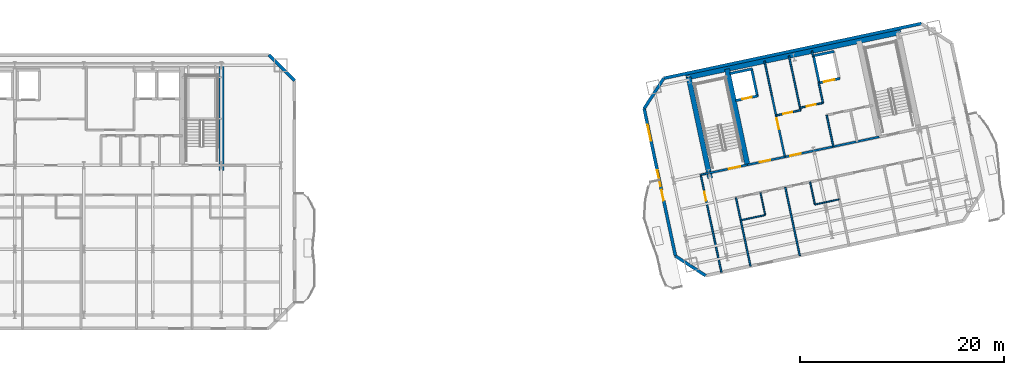
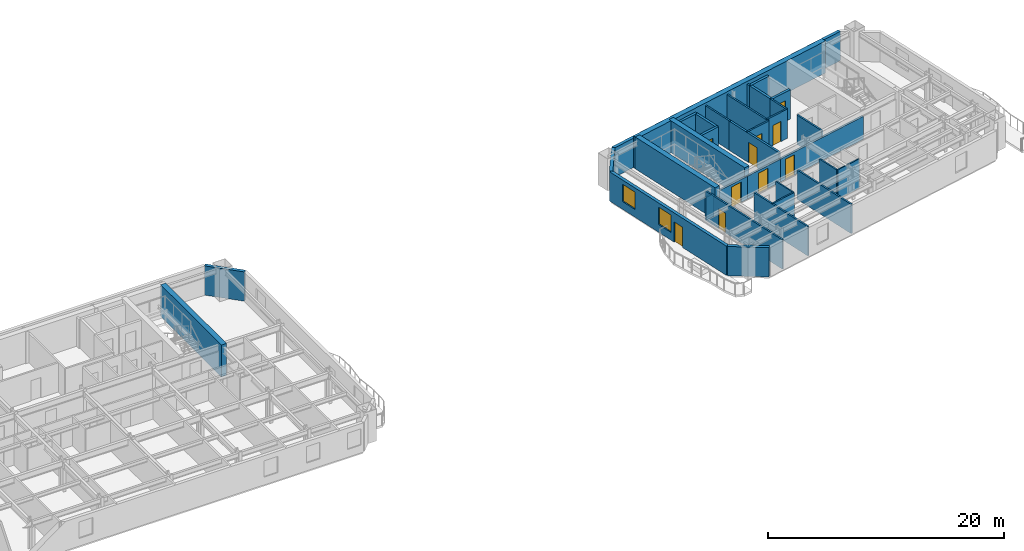
# One storey, part 7 of 13: 34 walls, 10 doors, 2 windows, 12 openings.
"""IFC4 building model written with IfcOpenShell, lengths in metres."""

from ifc_helpers import new_model, si_unit, direction, frame, frame_2d, origin, place, context, subcontext, project, spatial, rectangle, extrude, material, layer, layer_set, type_object, element, fill, save


model = new_model("IFC4")

# Units and contexts
model_context = context("Model", 3, precision=1e-05, world=origin(), true_north=direction((0.0, 1.0)))
body_context = subcontext(model_context, "Body", "Model", "MODEL_VIEW")
ifc_project = project(units=[si_unit("LENGTHUNIT", "METRE"), si_unit("AREAUNIT", "SQUARE_METRE"), si_unit("VOLUMEUNIT", "CUBIC_METRE"), si_unit("PLANEANGLEUNIT", "RADIAN"), si_unit("MASSUNIT", "GRAM", prefix="KILO")], contexts=[model_context])

# Site, building, storey
site_placement = place(None, origin())
site = spatial("IfcSite", under=ifc_project, at=site_placement, CompositionType="ELEMENT")
building_placement = place(site_placement, origin())
building = spatial("IfcBuilding", under=site, at=building_placement, Name="Haevon Station Towers", CompositionType="ELEMENT")
storey_placement = place(building_placement, frame((0.0, 0.0, 182.39990234375)))
storey = spatial("IfcBuildingStorey", under=building, at=storey_placement, Name="L50", CompositionType="ELEMENT", Elevation=182.39990234375)

# Wall, opening, door
ifc_material_1 = material(Name="Gypsum board on steel stud", Category="steel")
ifc_layer_1 = layer(ifc_material_1, 0.199951171875)
ifc_layer_set_1 = layer_set([ifc_layer_1], Name="Gypsum board on steel stud")
wall_type_1 = type_object("IfcWallType", Name="WL-COR200", PredefinedType="PARTITIONING", material=ifc_layer_set_1)
wall_1_placement = place(storey_placement, frame((98.75244140625, 37.4423828125, 0.0), z_axis=(0.0, 0.0, 1.0), x_axis=(0.978143537786, 0.207930804564, 0.0)))
wall_1 = element("IfcWall", 1, at=wall_1_placement, inside=storey, type_object=wall_type_1, Name="WL-ST-ST3-L50", PredefinedType="PARTITIONING", context=body_context, shape_type="SweptSolid", body=[
    extrude(rectangle(XDim=3.85009765625, YDim=0.199951171875, at=frame_2d((1.925048828125, 0.0))), origin(), (0.0, 0.0, 1.0), 2.380126953125),
])
opening_1_placement = place(wall_1_placement, frame((2.0, 0.0, 0.0)))
opening_1 = element("IfcOpeningElement", 2, at=opening_1_placement, cuts=wall_1, Name="Opening DR-ST-ST3-L50", PredefinedType="OPENING", context=body_context, shape_type="SweptSolid", body=[
    extrude(rectangle(XDim=1.1201171875, YDim=2.10009765625, at=frame_2d((0.56005859375, 1.050048828125))), frame((0.0, 0.10986328125, 0.0), z_axis=(0.0, -1.0, 0.0), x_axis=(1.0, 0.0, 0.0)), (0.0, 0.0, 1.0), 0.219970703125),
])
ifc_material_2 = material(Name="Engineered oak timber", Category="wood")
door_type_1 = type_object("IfcDoorType", Name="DR-ST-1120", OperationType="NOTDEFINED", PredefinedType="DOOR", material=ifc_material_2)
door_1_placement = place(opening_1_placement, origin())
door_1 = element("IfcDoor", 3, at=door_1_placement, inside=storey, type_object=door_type_1, Name="L50 Escape Stair ST3 Fire Door", OperationType="SINGLE_SWING_RIGHT", OverallHeight=2.10009765625, OverallWidth=1.1201171875, PredefinedType="DOOR", context=body_context, shape_type="SweptSolid", body=[
    extrude(rectangle(XDim=1.1201171875, YDim=2.10009765625, at=frame_2d((0.56005859375, 1.050048828125))), frame((0.0, 0.02490234375, 0.0), z_axis=(0.0, -1.0, 0.0), x_axis=(1.0, 0.0, 0.0)), (0.0, 0.0, 1.0), 0.050048828125),
])
fill(opening_1, door_1)

wall_2_placement = place(storey_placement, frame((106.186279296875, 39.0224609375, 0.0), z_axis=(0.0, 0.0, 1.0), x_axis=(-0.207916691923, 0.978146537703, 0.0)))
wall_2 = element("IfcWall", 4, at=wall_2_placement, inside=storey, type_object=wall_type_1, Name="WL-T2FFL-L50-E", PredefinedType="PARTITIONING", context=body_context, shape_type="SweptSolid", body=[
    extrude(rectangle(XDim=6.35009765625, YDim=0.199951171875, at=frame_2d((3.175048828125, 0.0))), origin(), (0.0, 0.0, 1.0), 3.030029296875),
])
opening_2_placement = place(wall_2_placement, frame((2.800048828125, 0.0, 0.0)))
opening_2 = element("IfcOpeningElement", 5, at=opening_2_placement, cuts=wall_2, Name="Opening DR-T2FFL-L50-E", PredefinedType="OPENING", context=body_context, shape_type="SweptSolid", body=[
    extrude(rectangle(XDim=1.050048828125, YDim=2.10009765625, at=frame_2d((0.52490234375, 1.050048828125))), frame((0.0, 0.10986328125, 0.0), z_axis=(0.0, -1.0, 0.0), x_axis=(1.0, 0.0, 0.0)), (0.0, 0.0, 1.0), 0.219970703125),
])
door_type_2 = type_object("IfcDoorType", Name="DR-FD60-1050", OperationType="NOTDEFINED", PredefinedType="DOOR", material=ifc_material_2)
door_2_placement = place(opening_2_placement, origin())
door_2 = element("IfcDoor", 6, at=door_2_placement, inside=storey, type_object=door_type_2, Name="L50 Tower 2 Firefighting Lift Lobby Door E", OperationType="SINGLE_SWING_RIGHT", OverallHeight=2.10009765625, OverallWidth=1.050048828125, PredefinedType="DOOR", context=body_context, shape_type="SweptSolid", body=[
    extrude(rectangle(XDim=1.050048828125, YDim=2.10009765625, at=frame_2d((0.52490234375, 1.050048828125))), frame((0.0, 0.02490234375, 0.0), z_axis=(0.0, -1.0, 0.0), x_axis=(1.0, 0.0, 0.0)), (0.0, 0.0, 1.0), 0.050048828125),
])
fill(opening_2, door_2)

wall_3_placement = place(storey_placement, frame((102.518310546875, 38.242919921875, 0.0), z_axis=(0.0, 0.0, 1.0), x_axis=(0.978153555683, 0.20788367301, 0.0)))
wall_3 = element("IfcWall", 7, at=wall_3_placement, inside=storey, type_object=wall_type_1, Name="WL-T2FFL-L50-S", PredefinedType="PARTITIONING", context=body_context, shape_type="SweptSolid", body=[
    extrude(rectangle(XDim=3.75, YDim=0.199951171875, at=frame_2d((1.875, 0.0))), origin(), (0.0, 0.0, 1.0), 2.380126953125),
])
opening_3_placement = place(wall_3_placement, frame((1.25, 0.0, 0.0)))
opening_3 = element("IfcOpeningElement", 8, at=opening_3_placement, cuts=wall_3, Name="Opening DR-T2FFL-L50-S", PredefinedType="OPENING", context=body_context, shape_type="SweptSolid", body=[
    extrude(rectangle(XDim=1.050048828125, YDim=2.10009765625, at=frame_2d((0.52490234375, 1.050048828125))), frame((0.0, 0.10986328125, 0.0), z_axis=(0.0, -1.0, 0.0), x_axis=(1.0, 0.0, 0.0)), (0.0, 0.0, 1.0), 0.219970703125),
])
door_3_placement = place(opening_3_placement, origin())
door_3 = element("IfcDoor", 9, at=door_3_placement, inside=storey, type_object=door_type_2, Name="L50 Tower 2 Firefighting Lift Lobby Door S", OperationType="SINGLE_SWING_LEFT", OverallHeight=2.10009765625, OverallWidth=1.050048828125, PredefinedType="DOOR", context=body_context, shape_type="SweptSolid", body=[
    extrude(rectangle(XDim=1.050048828125, YDim=2.10009765625, at=frame_2d((0.52490234375, 1.050048828125))), frame((0.0, 0.02490234375, 0.0), z_axis=(0.0, -1.0, 0.0), x_axis=(1.0, 0.0, 0.0)), (0.0, 0.0, 1.0), 0.050048828125),
])
fill(opening_3, door_3)

wall_4_placement = place(storey_placement, frame((106.186279296875, 39.0224609375, 0.0), z_axis=(0.0, 0.0, 1.0), x_axis=(0.978145519981, 0.20792147975, 0.0)))
wall_4 = element("IfcWall", 10, at=wall_4_placement, inside=storey, type_object=wall_type_1, Name="WL-T2CLB-L50", PredefinedType="PARTITIONING", context=body_context, shape_type="SweptSolid", body=[
    extrude(rectangle(XDim=9.449951171875, YDim=0.199951171875, at=frame_2d((4.72509765625, 0.0))), origin(), (0.0, 0.0, 1.0), 2.380126953125),
])
opening_4_placement = place(wall_4_placement, frame((0.550048828125, 0.0, 0.0)))
opening_4 = element("IfcOpeningElement", 11, at=opening_4_placement, cuts=wall_4, Name="Opening DR-T2CLB-L50-1", PredefinedType="OPENING", context=body_context, shape_type="SweptSolid", body=[
    extrude(rectangle(XDim=1.050048828125, YDim=2.10009765625, at=frame_2d((0.52490234375, 1.050048828125))), frame((0.0, 0.10986328125, 0.0), z_axis=(0.0, -1.0, 0.0), x_axis=(1.0, 0.0, 0.0)), (0.0, 0.0, 1.0), 0.219970703125),
])
door_4_placement = place(opening_4_placement, origin())
door_4 = element("IfcDoor", 12, at=door_4_placement, inside=storey, type_object=door_type_2, Name="L50 Tower 2 Core Lift Lobby Door 1", OperationType="SINGLE_SWING_RIGHT", OverallHeight=2.10009765625, OverallWidth=1.050048828125, PredefinedType="DOOR", context=body_context, shape_type="SweptSolid", body=[
    extrude(rectangle(XDim=1.050048828125, YDim=2.10009765625, at=frame_2d((0.52490234375, 1.050048828125))), frame((0.0, 0.02490234375, 0.0), z_axis=(0.0, -1.0, 0.0), x_axis=(1.0, 0.0, 0.0)), (0.0, 0.0, 1.0), 0.050048828125),
])
fill(opening_4, door_4)

# Walls
ifc_material_3 = material(Name="Concrete C60/75", Category="concrete")
ifc_layer_2 = layer(ifc_material_3, 0.5)
ifc_layer_set_2 = layer_set([ifc_layer_2], Name="Concrete C60/75")
wall_type_2 = type_object("IfcWallType", Name="WL-CR500", PredefinedType="SHEAR", material=ifc_layer_set_2)
wall_5_placement = place(storey_placement, frame((51.0, 37.679931640625, 0.0), z_axis=(0.0, 0.0, 1.0), x_axis=(0.0, 1.0, 0.0)))
element("IfcWall", 13, at=wall_5_placement, inside=storey, type_object=wall_type_2, Name="WL-T1CR-L50-E", PredefinedType="SHEAR", context=body_context, shape_type="SweptSolid", body=[
    extrude(rectangle(XDim=10.320068359375, YDim=0.5, at=frame_2d((5.16015625, 0.0))), origin(), (0.0, 0.0, 1.0), 3.300048828125),
])
wall_6_placement = place(storey_placement, frame((96.511962890625, 46.78076171875, 0.0), z_axis=(0.0, 0.0, 1.0), x_axis=(0.978148546782, 0.207907239961, 0.0)))
element("IfcWall", 14, at=wall_6_placement, inside=storey, type_object=wall_type_2, Name="WL-T2CR-L50-N", PredefinedType="SHEAR", context=body_context, shape_type="SweptSolid", body=[
    extrude(rectangle(XDim=21.499755859375, YDim=0.5, at=frame_2d((10.75, 0.0))), origin(), (0.0, 0.0, 1.0), 3.300048828125),
])
wall_7_placement = place(storey_placement, frame((98.8603515625, 36.933837890625, 0.0), z_axis=(0.0, 0.0, 1.0), x_axis=(-0.20790924889, 0.978148119778, 0.0)))
element("IfcWall", 15, at=wall_7_placement, inside=storey, type_object=wall_type_2, Name="WL-T2CR-L50-W", PredefinedType="SHEAR", context=body_context, shape_type="SweptSolid", body=[
    extrude(rectangle(XDim=10.119873046875, YDim=0.5, at=frame_2d((5.06005859375, 0.0))), origin(), (0.0, 0.0, 1.0), 3.300048828125),
])
wall_8_placement = place(storey_placement, frame((102.518310546875, 38.242919921875, 0.0), z_axis=(0.0, 0.0, 1.0), x_axis=(-0.207927495108, 0.978144241295, 0.0)))
element("IfcWall", 16, at=wall_8_placement, inside=storey, type_object=wall_type_2, Name="WL-T2CR-L50-M1", PredefinedType="SHEAR", context=body_context, shape_type="SweptSolid", body=[
    extrude(rectangle(XDim=9.599853515625, YDim=0.5, at=frame_2d((4.7998046875, 0.0))), origin(), (0.0, 0.0, 1.0), 3.300048828125),
])
ifc_material_4 = material(Name="Precast concrete C45/55", Category="concrete")
ifc_layer_3 = layer(ifc_material_4, 0.300048828125)
ifc_layer_set_3 = layer_set([ifc_layer_3], Name="Precast concrete C45/55")
wall_type_3 = type_object("IfcWallType", Name="WL-EXT-PIER300", PredefinedType="SOLIDWALL", material=ifc_layer_set_3)
wall_9_placement = place(storey_placement, frame((55.64990234375, 49.0, 0.0), z_axis=(0.0, 0.0, 1.0), x_axis=(0.707106781187, -0.707106781187, 0.0)))
element("IfcWall", 17, at=wall_9_placement, inside=storey, type_object=wall_type_3, Name="WL-T1-L50-NEC", PredefinedType="SOLIDWALL", context=body_context, shape_type="SweptSolid", body=[
    extrude(rectangle(XDim=3.53564453125, YDim=0.300048828125, at=frame_2d((1.767822265625, 0.0))), origin(), (0.0, 0.0, 1.0), 3.030029296875),
])
wall_10_placement = place(storey_placement, frame((98.43603515625, 27.386962890625, 0.0), z_axis=(0.0, 0.0, 1.0), x_axis=(-0.838672309694, 0.544636352948, 0.0)))
element("IfcWall", 18, at=wall_10_placement, inside=storey, type_object=wall_type_3, Name="WL-T2-L50-SWC", PredefinedType="SOLIDWALL", context=body_context, shape_type="SweptSolid", body=[
    extrude(rectangle(XDim=3.535400390625, YDim=0.300048828125, at=frame_2d((1.767578125, 0.0))), origin(), (0.0, 0.0, 1.0), 3.030029296875),
])

# Wall, openings, door, windows
wall_11_placement = place(storey_placement, frame((95.470947265625, 29.3125, 0.0), z_axis=(0.0, 0.0, 1.0), x_axis=(-0.207907783045, 0.978148431348, 0.0)))
wall_11 = element("IfcWall", 19, at=wall_11_placement, inside=storey, type_object=wall_type_3, Name="WL-T2-L50-W", PredefinedType="SOLIDWALL", context=body_context, shape_type="SweptSolid", body=[
    extrude(rectangle(XDim=14.77001953125, YDim=0.300048828125, at=frame_2d((7.385009765625, 0.0))), origin(), (0.0, 0.0, 1.0), 3.030029296875),
])
opening_5_placement = place(wall_11_placement, frame((5.56005859375, 0.0, 0.0)))
opening_5 = element("IfcOpeningElement", 20, at=opening_5_placement, cuts=wall_11, Name="Opening DR-T2-SCAL-L50-W", PredefinedType="OPENING", context=body_context, shape_type="SweptSolid", body=[
    extrude(rectangle(XDim=1.050048828125, YDim=2.10009765625, at=frame_2d((0.52490234375, 1.050048828125))), frame((0.0, 0.159912109375, 0.0), z_axis=(0.0, -1.0, 0.0), x_axis=(1.0, 0.0, 0.0)), (0.0, 0.0, 1.0), 0.320068359375),
])
opening_6_placement = place(wall_11_placement, frame((6.998291015625, 0.0, 0.800048828125)))
opening_6 = element("IfcOpeningElement", 21, at=opening_6_placement, cuts=wall_11, Name="Opening WN-END160", PredefinedType="OPENING", context=body_context, shape_type="SweptSolid", body=[
    extrude(rectangle(XDim=1.60009765625, YDim=1.800048828125, at=frame_2d((0.800048828125, 0.89990234375))), frame((0.0, 0.159912109375, 0.0), z_axis=(0.0, -1.0, 0.0), x_axis=(1.0, 0.0, 0.0)), (0.0, 0.0, 1.0), 0.320068359375),
])
opening_7_placement = place(wall_11_placement, frame((11.543701171875, 0.0, 0.800048828125)))
opening_7 = element("IfcOpeningElement", 22, at=opening_7_placement, cuts=wall_11, Name="Opening WN-END160", PredefinedType="OPENING", context=body_context, shape_type="SweptSolid", body=[
    extrude(rectangle(XDim=1.60009765625, YDim=1.800048828125, at=frame_2d((0.800048828125, 0.89990234375))), frame((0.0, 0.159912109375, 0.0), z_axis=(0.0, -1.0, 0.0), x_axis=(1.0, 0.0, 0.0)), (0.0, 0.0, 1.0), 0.320068359375),
])
ifc_material_5 = material(Name="Thermally broken anodised aluminium and laminated safety glass", Category="aluminium")
door_type_3 = type_object("IfcDoorType", Name="DR-BALC-1050", OperationType="NOTDEFINED", PredefinedType="DOOR", material=ifc_material_5)
door_5_placement = place(opening_5_placement, origin())
door_5 = element("IfcDoor", 23, at=door_5_placement, inside=storey, type_object=door_type_3, Name="Tower 2 L50 West Scalloped Balcony Door", OperationType="SINGLE_SWING_LEFT", OverallHeight=2.10009765625, OverallWidth=1.050048828125, PredefinedType="DOOR", context=body_context, shape_type="SweptSolid", body=[
    extrude(rectangle(XDim=1.050048828125, YDim=2.10009765625, at=frame_2d((0.52490234375, 1.050048828125))), frame((0.0, 0.02490234375, 0.0), z_axis=(0.0, -1.0, 0.0), x_axis=(1.0, 0.0, 0.0)), (0.0, 0.0, 1.0), 0.050048828125),
])
fill(opening_5, door_5)
ifc_material_6 = material(Name="Low-E triple glazing in thermally broken aluminium", Category="aluminium")
window_type = type_object("IfcWindowType", Name="WN-END160", PartitioningType="SINGLE_PANEL", PredefinedType="WINDOW", material=ifc_material_6)
window_1_placement = place(opening_6_placement, origin())
window_1 = element("IfcWindow", 24, at=window_1_placement, inside=storey, type_object=window_type, Name="WN-T2-L50-W01", OverallHeight=1.800048828125, OverallWidth=1.60009765625, PartitioningType="SINGLE_PANEL", PredefinedType="WINDOW", context=body_context, shape_type="SweptSolid", body=[
    extrude(rectangle(XDim=1.60009765625, YDim=1.800048828125, at=frame_2d((0.800048828125, 0.89990234375))), frame((0.0, 0.030029296875, 0.0), z_axis=(0.0, -1.0, 0.0), x_axis=(1.0, 0.0, 0.0)), (0.0, 0.0, 1.0), 0.06005859375),
])
fill(opening_6, window_1)
window_2_placement = place(opening_7_placement, origin())
window_2 = element("IfcWindow", 25, at=window_2_placement, inside=storey, type_object=window_type, Name="WN-T2-L50-W02", OverallHeight=1.800048828125, OverallWidth=1.60009765625, PartitioningType="SINGLE_PANEL", PredefinedType="WINDOW", context=body_context, shape_type="SweptSolid", body=[
    extrude(rectangle(XDim=1.60009765625, YDim=1.800048828125, at=frame_2d((0.800048828125, 0.89990234375))), frame((0.0, 0.030029296875, 0.0), z_axis=(0.0, -1.0, 0.0), x_axis=(1.0, 0.0, 0.0)), (0.0, 0.0, 1.0), 0.06005859375),
])
fill(opening_7, window_2)

# Walls
wall_12_placement = place(storey_placement, frame((92.400146484375, 43.759765625, 0.0), z_axis=(0.0, 0.0, 1.0), x_axis=(0.544636352948, 0.838672309694, 0.0)))
element("IfcWall", 26, at=wall_12_placement, inside=storey, type_object=wall_type_3, Name="WL-T2-L50-NWC", PredefinedType="SOLIDWALL", context=body_context, shape_type="SweptSolid", body=[
    extrude(rectangle(XDim=3.535400390625, YDim=0.300048828125, at=frame_2d((1.767578125, 0.0))), origin(), (0.0, 0.0, 1.0), 3.030029296875),
])
wall_13_placement = place(storey_placement, frame((94.32568359375, 46.724853515625, 0.0), z_axis=(0.0, 0.0, 1.0), x_axis=(0.978146319248, 0.207917719645, 0.0)))
element("IfcWall", 27, at=wall_13_placement, inside=storey, type_object=wall_type_3, Name="WL-T2-L50-N", PredefinedType="SOLIDWALL", context=body_context, shape_type="SweptSolid", body=[
    extrude(rectangle(XDim=25.7998046875, YDim=0.300048828125, at=frame_2d((12.89990234375, 0.0))), origin(), (0.0, 0.0, 1.0), 3.030029296875),
])
ifc_layer_4 = layer(ifc_material_1, 0.125)
ifc_layer_set_4 = layer_set([ifc_layer_4], Name="Gypsum board on steel stud")
wall_type_4 = type_object("IfcWallType", Name="WL-PRT125", PredefinedType="PARTITIONING", material=ifc_layer_set_4)
wall_14_placement = place(storey_placement, frame((104.25830078125, 33.3271484375, 0.0), z_axis=(0.0, 0.0, 1.0), x_axis=(-0.207891197838, 0.978151956427, 0.0)))
element("IfcWall", 28, at=wall_14_placement, inside=storey, type_object=wall_type_4, Name="WL-T2PT-L50-07", PredefinedType="PARTITIONING", context=body_context, shape_type="SweptSolid", body=[
    extrude(rectangle(XDim=2.25, YDim=0.125, at=frame_2d((1.125, 0.0))), origin(), (0.0, 0.0, 1.0), 3.030029296875),
])
wall_15_placement = place(storey_placement, frame((109.12451171875, 34.361572265625, 0.0), z_axis=(0.0, 0.0, 1.0), x_axis=(0.978136559131, 0.207963630695, 0.0)))
element("IfcWall", 29, at=wall_15_placement, inside=storey, type_object=wall_type_4, Name="WL-T2PT-L50-09", PredefinedType="PARTITIONING", context=body_context, shape_type="SweptSolid", body=[
    extrude(rectangle(XDim=2.449951171875, YDim=0.125, at=frame_2d((1.22509765625, 0.0))), origin(), (0.0, 0.0, 1.0), 3.030029296875),
])
ifc_layer_5 = layer(ifc_material_1, 0.139892578125)
ifc_layer_set_5 = layer_set([ifc_layer_5], Name="Gypsum board on steel stud")
wall_type_5 = type_object("IfcWallType", Name="WL-PRT140", PredefinedType="PARTITIONING", material=ifc_layer_set_5)
wall_16_placement = place(storey_placement, frame((101.86181640625, 32.81787109375, 0.0), z_axis=(0.0, 0.0, 1.0), x_axis=(0.978156824814, 0.207868290196, 0.0)))
element("IfcWall", 30, at=wall_16_placement, inside=storey, type_object=wall_type_5, Name="WL-T2PT-L50-06", PredefinedType="PARTITIONING", context=body_context, shape_type="SweptSolid", body=[
    extrude(rectangle(XDim=2.449951171875, YDim=0.139892578125, at=frame_2d((1.22509765625, 0.0))), origin(), (0.0, 0.0, 1.0), 3.030029296875),
])
wall_17_placement = place(storey_placement, frame((109.12451171875, 34.361572265625, 0.0), z_axis=(0.0, 0.0, 1.0), x_axis=(-0.207891197838, 0.978151956427, 0.0)))
element("IfcWall", 31, at=wall_17_placement, inside=storey, type_object=wall_type_5, Name="WL-T2PT-L50-10", PredefinedType="PARTITIONING", context=body_context, shape_type="SweptSolid", body=[
    extrude(rectangle(XDim=2.25, YDim=0.139892578125, at=frame_2d((1.125, 0.0))), origin(), (0.0, 0.0, 1.0), 3.030029296875),
])
ifc_layer_6 = layer(ifc_material_1, 0.159912109375)
ifc_layer_set_6 = layer_set([ifc_layer_6], Name="Gypsum board on steel stud")
wall_type_6 = type_object("IfcWallType", Name="WL-PRT160", PredefinedType="PARTITIONING", material=ifc_layer_set_6)
wall_18_placement = place(storey_placement, frame((104.88671875, 45.135986328125, 0.0), z_axis=(0.0, 0.0, 1.0), x_axis=(-0.207846553267, 0.978161443881, 0.0)))
element("IfcWall", 32, at=wall_18_placement, inside=storey, type_object=wall_type_6, Name="WL-T2CW-L50-01", PredefinedType="PARTITIONING", context=body_context, shape_type="SweptSolid", body=[
    extrude(rectangle(XDim=3.35009765625, YDim=0.159912109375, at=frame_2d((1.675048828125, 0.0))), origin(), (0.0, 0.0, 1.0), 3.030029296875),
])

# Wall, opening, door
wall_19_placement = place(storey_placement, frame((105.323486328125, 43.081787109375, 0.0), z_axis=(0.0, 0.0, 1.0), x_axis=(0.978136559131, 0.207963630695, 0.0)))
wall_19 = element("IfcWall", 33, at=wall_19_placement, inside=storey, type_object=wall_type_6, Name="WL-T2CW-L50-02", PredefinedType="PARTITIONING", context=body_context, shape_type="SweptSolid", body=[
    extrude(rectangle(XDim=2.449951171875, YDim=0.159912109375, at=frame_2d((1.22509765625, 0.0))), origin(), (0.0, 0.0, 1.0), 3.030029296875),
])
opening_8_placement = place(wall_19_placement, frame((0.719970703125, 0.0, 0.0)))
opening_8 = element("IfcOpeningElement", 34, at=opening_8_placement, cuts=wall_19, Name="Opening DR-WL-T2CW-L50-02-1", PredefinedType="OPENING", context=body_context, shape_type="SweptSolid", body=[
    extrude(rectangle(XDim=0.89990234375, YDim=2.10009765625, at=frame_2d((0.449951171875, 1.050048828125))), frame((0.0, 0.08984375, 0.0), z_axis=(0.0, -1.0, 0.0), x_axis=(1.0, 0.0, 0.0)), (0.0, 0.0, 1.0), 0.179931640625),
])
door_type_4 = type_object("IfcDoorType", Name="DR-FD60-900", OperationType="NOTDEFINED", PredefinedType="DOOR", material=ifc_material_2)
door_6_placement = place(opening_8_placement, origin())
door_6 = element("IfcDoor", 35, at=door_6_placement, inside=storey, type_object=door_type_4, Name="L50 Tower 2 Core Room Door 2-1", OperationType="SINGLE_SWING_LEFT", OverallHeight=2.10009765625, OverallWidth=0.89990234375, PredefinedType="DOOR", context=body_context, shape_type="SweptSolid", body=[
    extrude(rectangle(XDim=0.89990234375, YDim=2.10009765625, at=frame_2d((0.449951171875, 1.050048828125))), frame((0.0, 0.02490234375, 0.0), z_axis=(0.0, -1.0, 0.0), x_axis=(1.0, 0.0, 0.0)), (0.0, 0.0, 1.0), 0.050048828125),
])
fill(opening_8, door_6)

# Wall
wall_20_placement = place(storey_placement, frame((107.719970703125, 43.59130859375, 0.0), z_axis=(0.0, 0.0, 1.0), x_axis=(-0.207947156665, 0.978140061563, 0.0)))
element("IfcWall", 36, at=wall_20_placement, inside=storey, type_object=wall_type_6, Name="WL-T2CW-L50-03", PredefinedType="PARTITIONING", context=body_context, shape_type="SweptSolid", body=[
    extrude(rectangle(XDim=5.449951171875, YDim=0.159912109375, at=frame_2d((2.72509765625, 0.0))), origin(), (0.0, 0.0, 1.0), 3.030029296875),
])

# Wall, opening, door
wall_21_placement = place(storey_placement, frame((107.66796875, 43.835693359375, 0.0), z_axis=(0.0, 0.0, 1.0), x_axis=(0.978141312374, 0.207941273027, 0.0)))
wall_21 = element("IfcWall", 37, at=wall_21_placement, inside=storey, type_object=wall_type_6, Name="WL-T2CW-L50-04", PredefinedType="PARTITIONING", context=body_context, shape_type="SweptSolid", body=[
    extrude(rectangle(XDim=2.300048828125, YDim=0.159912109375, at=frame_2d((1.14990234375, 0.0))), origin(), (0.0, 0.0, 1.0), 3.030029296875),
])
opening_9_placement = place(wall_21_placement, frame((0.679931640625, 0.0, 0.0)))
opening_9 = element("IfcOpeningElement", 38, at=opening_9_placement, cuts=wall_21, Name="Opening DR-WL-T2CW-L50-04-1", PredefinedType="OPENING", context=body_context, shape_type="SweptSolid", body=[
    extrude(rectangle(XDim=0.89990234375, YDim=2.10009765625, at=frame_2d((0.449951171875, 1.050048828125))), frame((0.0, 0.08984375, 0.0), z_axis=(0.0, -1.0, 0.0), x_axis=(1.0, 0.0, 0.0)), (0.0, 0.0, 1.0), 0.179931640625),
])
door_7_placement = place(opening_9_placement, origin())
door_7 = element("IfcDoor", 39, at=door_7_placement, inside=storey, type_object=door_type_4, Name="L50 Tower 2 Core Room Door 4-1", OperationType="SINGLE_SWING_RIGHT", OverallHeight=2.10009765625, OverallWidth=0.89990234375, PredefinedType="DOOR", context=body_context, shape_type="SweptSolid", body=[
    extrude(rectangle(XDim=0.89990234375, YDim=2.10009765625, at=frame_2d((0.449951171875, 1.050048828125))), frame((0.0, 0.02490234375, 0.0), z_axis=(0.0, -1.0, 0.0), x_axis=(1.0, 0.0, 0.0)), (0.0, 0.0, 1.0), 0.050048828125),
])
fill(opening_9, door_7)

# Walls
wall_22_placement = place(storey_placement, frame((109.917724609375, 44.31396484375, 0.0), z_axis=(0.0, 0.0, 1.0), x_axis=(-0.207942793968, 0.978140989038, 0.0)))
element("IfcWall", 40, at=wall_22_placement, inside=storey, type_object=wall_type_6, Name="WL-T2CW-L50-05", PredefinedType="PARTITIONING", context=body_context, shape_type="SweptSolid", body=[
    extrude(rectangle(XDim=2.050048828125, YDim=0.159912109375, at=frame_2d((1.02490234375, 0.0))), origin(), (0.0, 0.0, 1.0), 3.030029296875),
])
wall_23_placement = place(storey_placement, frame((108.950927734375, 48.8623046875, 0.0), z_axis=(0.0, 0.0, 1.0), x_axis=(-0.208134744237, 0.978100162683, 0.0)))
element("IfcWall", 41, at=wall_23_placement, inside=storey, type_object=wall_type_6, Name="WL-T2CW-L50-06", PredefinedType="PARTITIONING", context=body_context, shape_type="SweptSolid", body=[
    extrude(rectangle(XDim=0.550048828125, YDim=0.159912109375, at=frame_2d((0.27490234375, 0.0))), origin(), (0.0, 0.0, 1.0), 3.030029296875),
])
wall_24_placement = place(storey_placement, frame((110.93017578125, 40.031005859375, 0.0), z_axis=(0.0, 0.0, 1.0), x_axis=(-0.207877295669, 0.978154911016, 0.0)))
element("IfcWall", 42, at=wall_24_placement, inside=storey, type_object=wall_type_6, Name="WL-T2CW-L50-07", PredefinedType="PARTITIONING", context=body_context, shape_type="SweptSolid", body=[
    extrude(rectangle(XDim=3.14990234375, YDim=0.159912109375, at=frame_2d((1.574951171875, 0.0))), origin(), (0.0, 0.0, 1.0), 3.030029296875),
])
wall_25_placement = place(storey_placement, frame((102.818115234375, 28.318359375, 0.0), z_axis=(0.0, 0.0, 1.0), x_axis=(-0.207897972701, 0.978150516509, 0.0)))
element("IfcWall", 43, at=wall_25_placement, inside=storey, type_object=wall_type_6, Name="WL-T2PT-L50-01", PredefinedType="PARTITIONING", context=body_context, shape_type="SweptSolid", body=[
    extrude(rectangle(XDim=6.849853515625, YDim=0.159912109375, at=frame_2d((3.4248046875, 0.0))), origin(), (0.0, 0.0, 1.0), 3.030029296875),
])
wall_26_placement = place(storey_placement, frame((97.9404296875, 37.269775390625, 0.0), z_axis=(0.0, 0.0, 1.0), x_axis=(0.978145395179, 0.207922066865, 0.0)))
element("IfcWall", 44, at=wall_26_placement, inside=storey, type_object=wall_type_6, Name="WL-T2PT-L50-02", PredefinedType="PARTITIONING", context=body_context, shape_type="SweptSolid", body=[
    extrude(rectangle(XDim=0.830078125, YDim=0.159912109375, at=frame_2d((0.4150390625, 0.0))), origin(), (0.0, 0.0, 1.0), 2.380126953125),
])

# Wall, opening, door
wall_27_placement = place(storey_placement, frame((99.9716796875, 27.71337890625, 0.0), z_axis=(0.0, 0.0, 1.0), x_axis=(-0.207909264222, 0.97814811652, 0.0)))
wall_27 = element("IfcWall", 45, at=wall_27_placement, inside=storey, type_object=wall_type_6, Name="WL-T2PT-L50-04", PredefinedType="PARTITIONING", context=body_context, shape_type="SweptSolid", body=[
    extrude(rectangle(XDim=9.769775390625, YDim=0.159912109375, at=frame_2d((4.884765625, 0.0))), origin(), (0.0, 0.0, 1.0), 3.030029296875),
])
opening_10_placement = place(wall_27_placement, frame((7.169921875, 0.0, 0.0)))
opening_10 = element("IfcOpeningElement", 46, at=opening_10_placement, cuts=wall_27, Name="Opening DR-WL-T2PT-L50-04-01", PredefinedType="OPENING", context=body_context, shape_type="SweptSolid", body=[
    extrude(rectangle(XDim=0.89990234375, YDim=2.050048828125, at=frame_2d((0.449951171875, 1.02490234375))), frame((0.0, 0.08984375, 0.0), z_axis=(0.0, -1.0, 0.0), x_axis=(1.0, 0.0, 0.0)), (0.0, 0.0, 1.0), 0.179931640625),
])
door_type_5 = type_object("IfcDoorType", Name="DR-INT-900", OperationType="NOTDEFINED", PredefinedType="DOOR", material=ifc_material_2)
door_8_placement = place(opening_10_placement, origin())
door_8 = element("IfcDoor", 47, at=door_8_placement, inside=storey, type_object=door_type_5, Name="L50 Tower 2 Room Door 4-1", OperationType="SINGLE_SWING_LEFT", OverallHeight=2.050048828125, OverallWidth=0.89990234375, PredefinedType="DOOR", context=body_context, shape_type="SweptSolid", body=[
    extrude(rectangle(XDim=0.89990234375, YDim=2.050048828125, at=frame_2d((0.449951171875, 1.02490234375))), frame((0.0, 0.02490234375, 0.0), z_axis=(0.0, -1.0, 0.0), x_axis=(1.0, 0.0, 0.0)), (0.0, 0.0, 1.0), 0.050048828125),
])
fill(opening_10, door_8)

# Wall
wall_28_placement = place(storey_placement, frame((107.647705078125, 29.344970703125, 0.0), z_axis=(0.0, 0.0, 1.0), x_axis=(-0.207897972701, 0.978150516509, 0.0)))
element("IfcWall", 48, at=wall_28_placement, inside=storey, type_object=wall_type_6, Name="WL-T2PT-L50-08", PredefinedType="PARTITIONING", context=body_context, shape_type="SweptSolid", body=[
    extrude(rectangle(XDim=6.849853515625, YDim=0.159912109375, at=frame_2d((3.4248046875, 0.0))), origin(), (0.0, 0.0, 1.0), 3.030029296875),
])

# Wall, opening, door
ifc_material_7 = material(Name="Concrete C40/50", Category="concrete")
ifc_layer_7 = layer(ifc_material_7, 0.239990234375)
ifc_layer_set_7 = layer_set([ifc_layer_7], Name="Concrete C40/50")
wall_type_7 = type_object("IfcWallType", Name="WL-SHF240", PredefinedType="PARTITIONING", material=ifc_layer_set_7)
wall_29_placement = place(storey_placement, frame((101.353759765625, 44.538330078125, 0.0), z_axis=(0.0, 0.0, 1.0), x_axis=(0.978141002414, 0.207942731049, 0.0)))
wall_29 = element("IfcWall", 49, at=wall_29_placement, inside=storey, type_object=wall_type_7, Name="WL-SHF-FL2-L50", PredefinedType="PARTITIONING", context=body_context, shape_type="SweptSolid", body=[
    extrude(rectangle(XDim=2.260009765625, YDim=0.239990234375, at=frame_2d((1.1298828125, 0.0))), origin(), (0.0, 0.0, 1.0), 3.030029296875),
])
opening_11_placement = place(wall_29_placement, frame((0.655029296875, 0.0, 0.0)))
opening_11 = element("IfcOpeningElement", 50, at=opening_11_placement, cuts=wall_29, Name="Opening LD-FL2-L50", PredefinedType="OPENING", context=body_context, shape_type="SweptSolid", body=[
    extrude(rectangle(XDim=0.949951171875, YDim=2.14990234375, at=frame_2d((0.47509765625, 1.074951171875))), frame((0.0, 0.1298828125, 0.0), z_axis=(0.0, -1.0, 0.0), x_axis=(1.0, 0.0, 0.0)), (0.0, 0.0, 1.0), 0.260009765625),
])
ifc_material_8 = material(Name="Stainless steel and rated core", Category="steel")
door_type_6 = type_object("IfcDoorType", Name="LD-FL950", OperationType="SLIDING_TO_LEFT", PredefinedType="DOOR", material=ifc_material_8)
door_9_placement = place(opening_11_placement, origin())
door_9 = element("IfcDoor", 51, at=door_9_placement, inside=storey, type_object=door_type_6, Name="L50 Lift FL2 Sliding Landing Door", OperationType="SLIDING_TO_LEFT", OverallHeight=2.14990234375, OverallWidth=0.949951171875, PredefinedType="DOOR", context=body_context, shape_type="SweptSolid", body=[
    extrude(rectangle(XDim=0.949951171875, YDim=2.14990234375, at=frame_2d((0.47509765625, 1.074951171875))), frame((0.0, 0.02490234375, 0.0), z_axis=(0.0, -1.0, 0.0), x_axis=(1.0, 0.0, 0.0)), (0.0, 0.0, 1.0), 0.050048828125),
])
fill(opening_11, door_9)

# Walls
wall_30_placement = place(storey_placement, frame((100.79248046875, 47.179443359375, 0.0), z_axis=(0.0, 0.0, 1.0), x_axis=(0.978162968872, 0.207839376268, 0.0)))
element("IfcWall", 52, at=wall_30_placement, inside=storey, type_object=wall_type_7, Name="WL-SHF-FL2-L50-N", PredefinedType="PARTITIONING", context=body_context, shape_type="SweptSolid", body=[
    extrude(rectangle(XDim=2.260009765625, YDim=0.239990234375, at=frame_2d((1.1298828125, 0.0))), origin(), (0.0, 0.0, 1.0), 3.030029296875),
])
wall_31_placement = place(storey_placement, frame((103.486328125, 44.99169921875, 0.0), z_axis=(0.0, 0.0, 1.0), x_axis=(-0.207978798957, 0.978133334052, 0.0)))
element("IfcWall", 53, at=wall_31_placement, inside=storey, type_object=wall_type_7, Name="WL-SHF-FL2-L50-E", PredefinedType="PARTITIONING", context=body_context, shape_type="SweptSolid", body=[
    extrude(rectangle(XDim=2.699951171875, YDim=0.239990234375, at=frame_2d((1.35009765625, 0.0))), origin(), (0.0, 0.0, 1.0), 3.030029296875),
])

# Wall, opening, door
wall_32_placement = place(storey_placement, frame((109.472412109375, 46.263916015625, 0.0), z_axis=(0.0, 0.0, 1.0), x_axis=(0.97813528961, 0.207969601673, 0.0)))
wall_32 = element("IfcWall", 54, at=wall_32_placement, inside=storey, type_object=wall_type_7, Name="WL-SHF-PL9-L50", PredefinedType="PARTITIONING", context=body_context, shape_type="SweptSolid", body=[
    extrude(rectangle(XDim=2.159912109375, YDim=0.239990234375, at=frame_2d((1.080078125, 0.0))), origin(), (0.0, 0.0, 1.0), 3.030029296875),
])
opening_12_placement = place(wall_32_placement, frame((0.554931640625, 0.0, 0.0)))
opening_12 = element("IfcOpeningElement", 55, at=opening_12_placement, cuts=wall_32, Name="Opening LD-PL9-L50", PredefinedType="OPENING", context=body_context, shape_type="SweptSolid", body=[
    extrude(rectangle(XDim=1.050048828125, YDim=2.14990234375, at=frame_2d((0.52490234375, 1.074951171875))), frame((0.0, 0.1298828125, 0.0), z_axis=(0.0, -1.0, 0.0), x_axis=(1.0, 0.0, 0.0)), (0.0, 0.0, 1.0), 0.260009765625),
])
door_type_7 = type_object("IfcDoorType", Name="LD-PL1050", OperationType="SLIDING_TO_LEFT", PredefinedType="DOOR", material=ifc_material_8)
door_10_placement = place(opening_12_placement, origin())
door_10 = element("IfcDoor", 56, at=door_10_placement, inside=storey, type_object=door_type_7, Name="L50 Lift PL9 Sliding Landing Door", OperationType="SLIDING_TO_LEFT", OverallHeight=2.14990234375, OverallWidth=1.050048828125, PredefinedType="DOOR", context=body_context, shape_type="SweptSolid", body=[
    extrude(rectangle(XDim=1.050048828125, YDim=2.14990234375, at=frame_2d((0.52490234375, 1.074951171875))), frame((0.0, 0.02490234375, 0.0), z_axis=(0.0, -1.0, 0.0), x_axis=(1.0, 0.0, 0.0)), (0.0, 0.0, 1.0), 0.050048828125),
])
fill(opening_12, door_10)

# Walls
wall_33_placement = place(storey_placement, frame((108.9111328125, 48.905029296875, 0.0), z_axis=(0.0, 0.0, 1.0), x_axis=(0.978158276388, 0.207861459473, 0.0)))
element("IfcWall", 57, at=wall_33_placement, inside=storey, type_object=wall_type_7, Name="WL-SHF-PL9-L50-N", PredefinedType="PARTITIONING", context=body_context, shape_type="SweptSolid", body=[
    extrude(rectangle(XDim=2.159912109375, YDim=0.239990234375, at=frame_2d((1.080078125, 0.0))), origin(), (0.0, 0.0, 1.0), 3.030029296875),
])
wall_34_placement = place(storey_placement, frame((109.55078125, 46.28076171875, 0.0), z_axis=(0.0, 0.0, 1.0), x_axis=(-0.207892282326, 0.978151725935, 0.0)))
element("IfcWall", 58, at=wall_34_placement, inside=storey, type_object=wall_type_7, Name="WL-SHF-PL9-L50-W", PredefinedType="PARTITIONING", context=body_context, shape_type="SweptSolid", body=[
    extrude(rectangle(XDim=2.699951171875, YDim=0.239990234375, at=frame_2d((1.35009765625, 0.0))), origin(), (0.0, 0.0, 1.0), 3.030029296875),
])

save(model, "model.ifc")
